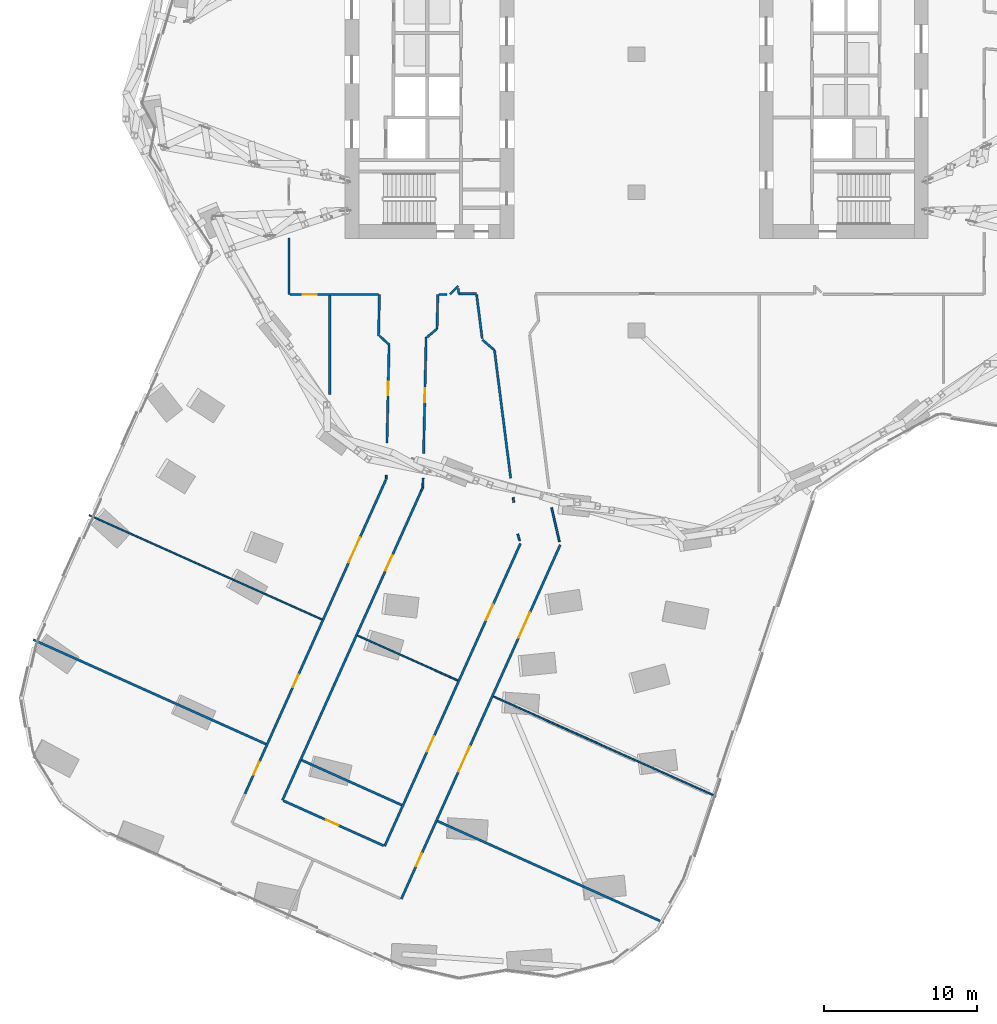
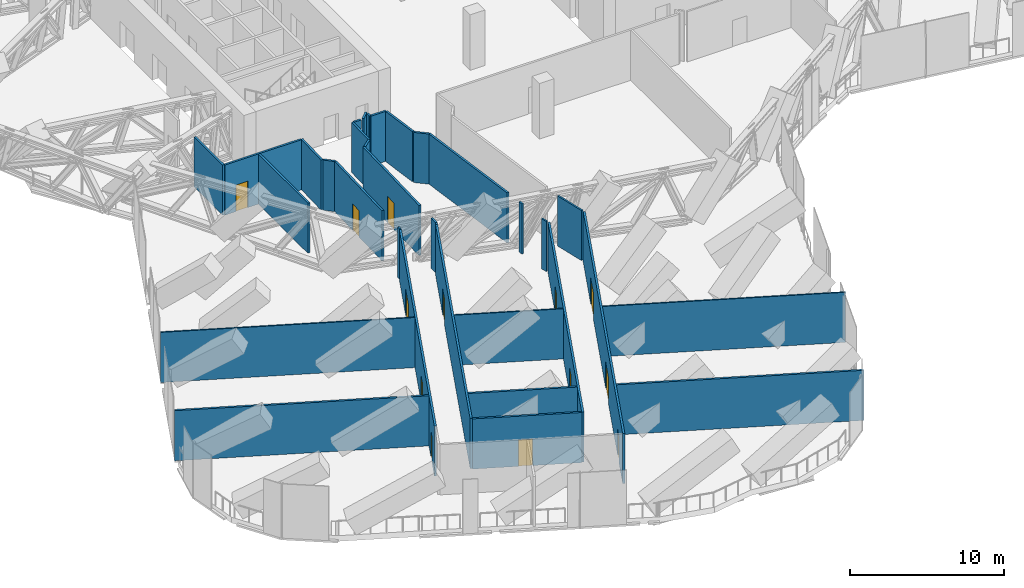
# One storey, part 27 of 39: 33 walls, 13 doors, 13 openings.
"""IFC4 building model written with IfcOpenShell, lengths in metres."""

from ifc_helpers import new_model, si_unit, direction, frame, frame_2d, origin, place, context, subcontext, project, spatial, rectangle, extrude, material, layer, layer_set, type_object, element, fill, save


model = new_model("IFC4")

# Units and contexts
model_context = context("Model", 3, precision=1e-05, world=origin(), true_north=direction((0.0, 1.0)))
body_context = subcontext(model_context, "Body", "Model", "MODEL_VIEW")
ifc_project = project(units=[si_unit("LENGTHUNIT", "METRE"), si_unit("AREAUNIT", "SQUARE_METRE"), si_unit("VOLUMEUNIT", "CUBIC_METRE"), si_unit("PLANEANGLEUNIT", "RADIAN"), si_unit("MASSUNIT", "GRAM", prefix="KILO")], contexts=[model_context])

# Site, building, storey
site_placement = place(None, origin())
site = spatial("IfcSite", under=ifc_project, at=site_placement, CompositionType="ELEMENT")
building_placement = place(site_placement, origin())
building = spatial("IfcBuilding", under=site, at=building_placement, Name="Orlundy Tower", CompositionType="ELEMENT")
storey_placement = place(building_placement, frame((0.0, 0.0, 141.199951171875)))
storey = spatial("IfcBuildingStorey", under=building, at=storey_placement, Name="L36", CompositionType="ELEMENT", Elevation=141.199951171875)

# Walls
ifc_material_1 = material(Name="Gypsum board partition")
ifc_layer_1 = layer(ifc_material_1, 0.10009765625)
ifc_layer_set_1 = layer_set([ifc_layer_1], Name="Floor partition 100")
wall_type_1 = type_object("IfcWallType", Name="Floor partition 100", PredefinedType="PARTITIONING", material=ifc_layer_set_1)
wall_1_placement = place(storey_placement, frame((-35.669921875, -30.029052734375, 0.0), z_axis=(0.0, 0.0, 1.0), x_axis=(0.912385851381, -0.409331232867, 0.0)))
element("IfcWall", 1, at=wall_1_placement, inside=storey, type_object=wall_type_1, Name="wall-int-L36-018", PredefinedType="PARTITIONING", context=body_context, shape_type="SweptSolid", body=[
    extrude(rectangle(XDim=16.62451171875, YDim=0.10009765625, at=frame_2d((8.312255859375, 0.0))), origin(), (0.0, 0.0, 1.0), 3.97998046875),
])
wall_2_placement = place(storey_placement, frame((-18.175048828125, -37.87890625, 0.0), z_axis=(0.0, 0.0, 1.0), x_axis=(0.912356746217, -0.409396101145, 0.0)))
element("IfcWall", 2, at=wall_2_placement, inside=storey, type_object=wall_type_1, Name="wall-int-L36-019", PredefinedType="PARTITIONING", context=body_context, shape_type="SweptSolid", body=[
    extrude(rectangle(XDim=7.149658203125, YDim=0.10009765625, at=frame_2d((3.57470703125, 0.0))), origin(), (0.0, 0.0, 1.0), 3.97998046875),
])
wall_3_placement = place(storey_placement, frame((-9.324951171875, -41.85107421875, 0.0), z_axis=(0.0, 0.0, 1.0), x_axis=(0.91237401084, -0.40935762402, 0.0)))
element("IfcWall", 3, at=wall_3_placement, inside=storey, type_object=wall_type_1, Name="wall-int-L36-020", PredefinedType="PARTITIONING", context=body_context, shape_type="SweptSolid", body=[
    extrude(rectangle(XDim=15.890380859375, YDim=0.10009765625, at=frame_2d((7.9453125, 0.0))), origin(), (0.0, 0.0, 1.0), 3.97998046875),
])
ifc_material_2 = material(Name="Gypsum board partition, double layer")
ifc_layer_2 = layer(ifc_material_2, 0.125)
ifc_layer_set_2 = layer_set([ifc_layer_2], Name="Floor partition 125")
wall_type_2 = type_object("IfcWallType", Name="Floor partition 125", PredefinedType="PARTITIONING", material=ifc_layer_set_2)
wall_4_placement = place(storey_placement, frame((-8.0400390625, -28.885009765625, 0.0), z_axis=(0.0, 0.0, 1.0), x_axis=(0.12573301006, -0.992064115963, 0.0)))
element("IfcWall", 4, at=wall_4_placement, inside=storey, type_object=wall_type_2, Name="wall-int-L36-004", PredefinedType="PARTITIONING", context=body_context, shape_type="SweptSolid", body=[
    extrude(rectangle(XDim=0.318359375, YDim=0.125, at=frame_2d((0.1591796875, 0.0))), origin(), (0.0, 0.0, 1.0), 3.97998046875),
])
wall_5_placement = place(storey_placement, frame((-7.739013671875, -31.264892578125, 0.0), z_axis=(0.0, 0.0, 1.0), x_axis=(0.272417640043, -0.962179104633, 0.0)))
element("IfcWall", 5, at=wall_5_placement, inside=storey, type_object=wall_type_2, Name="wall-int-L36-005", PredefinedType="PARTITIONING", context=body_context, shape_type="SweptSolid", body=[
    extrude(rectangle(XDim=0.447998046875, YDim=0.125, at=frame_2d((0.22412109375, 0.0))), origin(), (0.0, 0.0, 1.0), 3.97998046875),
])
wall_6_placement = place(storey_placement, frame((-5.537109375, -29.544921875, 0.0), z_axis=(0.0, 0.0, 1.0), x_axis=(0.22654653271, -0.974000343181, 0.0)))
element("IfcWall", 6, at=wall_6_placement, inside=storey, type_object=wall_type_2, Name="wall-int-L36-006", PredefinedType="PARTITIONING", context=body_context, shape_type="SweptSolid", body=[
    extrude(rectangle(XDim=2.282470703125, YDim=0.125, at=frame_2d((1.14111328125, 0.0))), origin(), (0.0, 0.0, 1.0), 3.97998046875),
])
wall_7_placement = place(storey_placement, frame((-14.02392578125, -28.445068359375, 0.0), z_axis=(0.0, 0.0, 1.0), x_axis=(0.409947870427, 0.912108953762, 0.0)))
element("IfcWall", 7, at=wall_7_placement, inside=storey, type_object=wall_type_2, Name="wall-int-L36-053", PredefinedType="PARTITIONING", context=body_context, shape_type="SweptSolid", body=[
    extrude(rectangle(XDim=0.24365234375, YDim=0.125, at=frame_2d((0.121826171875, 0.0))), origin(), (0.0, 0.0, 1.0), 3.97998046875),
])
wall_8_placement = place(storey_placement, frame((-13.924072265625, -28.222900390625, 0.0), z_axis=(0.0, 0.0, 1.0), x_axis=(0.022152953645, 0.99975459321, 0.0)))
element("IfcWall", 8, at=wall_8_placement, inside=storey, type_object=wall_type_2, Name="wall-int-L36-070", PredefinedType="PARTITIONING", context=body_context, shape_type="SweptSolid", body=[
    extrude(rectangle(XDim=0.59521484375, YDim=0.125, at=frame_2d((0.297607421875, 0.0))), origin(), (0.0, 0.0, 1.0), 3.97998046875),
])
wall_9_placement = place(storey_placement, frame((-16.31396484375, -27.68408203125, 0.0), z_axis=(0.0, 0.0, 1.0), x_axis=(0.022175691441, 0.999754089118, 0.0)))
element("IfcWall", 9, at=wall_9_placement, inside=storey, type_object=wall_type_2, Name="wall-int-L36-071", PredefinedType="PARTITIONING", context=body_context, shape_type="SweptSolid", body=[
    extrude(rectangle(XDim=0.26416015625, YDim=0.125, at=frame_2d((0.132080078125, 0.0))), origin(), (0.0, 0.0, 1.0), 3.97998046875),
])
ifc_material_3 = material(Name="Blockwork shaft wall", Category="masonry")
ifc_layer_3 = layer(ifc_material_3, 0.14990234375)
ifc_layer_set_3 = layer_set([ifc_layer_3], Name="Floor shaft wall 150")
wall_type_3 = type_object("IfcWallType", Name="Floor shaft wall 150", PredefinedType="PARTITIONING", material=ifc_layer_set_3)
wall_10_placement = place(storey_placement, frame((-11.60107421875, -15.27294921875, 0.0), z_axis=(0.0, 0.0, 1.0), x_axis=(0.002985061327, -0.999995544695, 0.0)))
element("IfcWall", 10, at=wall_10_placement, inside=storey, type_object=wall_type_3, Name="wall-int-L36-001", PredefinedType="PARTITIONING", context=body_context, shape_type="SweptSolid", body=[
    extrude(rectangle(XDim=0.3271484375, YDim=0.14990234375, at=frame_2d((0.16357421875, 0.0))), origin(), (0.0, 0.0, 1.0), 3.97998046875),
])
wall_11_placement = place(storey_placement, frame((-10.419921875, -15.674072265625, 0.0), z_axis=(0.0, 0.0, 1.0), x_axis=(0.126143479967, -0.992012007217, 0.0)))
element("IfcWall", 11, at=wall_11_placement, inside=storey, type_object=wall_type_3, Name="wall-int-L36-002", PredefinedType="PARTITIONING", context=body_context, shape_type="SweptSolid", body=[
    extrude(rectangle(XDim=2.8779296875, YDim=0.14990234375, at=frame_2d((1.43896484375, 0.0))), origin(), (0.0, 0.0, 1.0), 3.97998046875),
])
wall_12_placement = place(storey_placement, frame((-9.257080078125, -19.283935546875, 0.0), z_axis=(0.0, 0.0, 1.0), x_axis=(0.125703157539, -0.992067898979, 0.0)))
element("IfcWall", 12, at=wall_12_placement, inside=storey, type_object=wall_type_3, Name="wall-int-L36-003", PredefinedType="PARTITIONING", context=body_context, shape_type="SweptSolid", body=[
    extrude(rectangle(XDim=8.40966796875, YDim=0.14990234375, at=frame_2d((4.204833984375, 0.0))), origin(), (0.0, 0.0, 1.0), 3.97998046875),
])

# Wall, opening, door
wall_13_placement = place(storey_placement, frame((-23.006103515625, -48.64501953125, 0.0), z_axis=(0.0, 0.0, 1.0), x_axis=(0.912436356284, -0.409218640499, 0.0)))
wall_13 = element("IfcWall", 13, at=wall_13_placement, inside=storey, type_object=wall_type_3, Name="wall-int-L36-014", PredefinedType="PARTITIONING", context=body_context, shape_type="SweptSolid", body=[
    extrude(rectangle(XDim=7.150390625, YDim=0.14990234375, at=frame_2d((3.5751953125, 0.0))), origin(), (0.0, 0.0, 1.0), 3.97998046875),
])
opening_1_placement = place(wall_13_placement, frame((3.02490234375, 0.0, 0.0)))
opening_1 = element("IfcOpeningElement", 14, at=opening_1_placement, cuts=wall_13, Name="Opening 27117", PredefinedType="OPENING", context=body_context, shape_type="SweptSolid", body=[
    extrude(rectangle(XDim=0.89990234375, YDim=2.10009765625, at=frame_2d((0.449951171875, 1.050048828125))), frame((0.0, 0.0849609375, 0.0), z_axis=(0.0, -1.0, 0.0), x_axis=(1.0, 0.0, 0.0)), (0.0, 0.0, 1.0), 0.169921875),
])
ifc_material_4 = material(Name="Timber door leaf", Category="wood")
door_type_1 = type_object("IfcDoorType", Name="Floor door single 900 FD60", OperationType="NOTDEFINED", PredefinedType="DOOR", material=ifc_material_4)
door_1_placement = place(opening_1_placement, origin())
door_1 = element("IfcDoor", 15, at=door_1_placement, inside=storey, type_object=door_type_1, Name="Door 27117", OperationType="SINGLE_SWING_LEFT", OverallHeight=2.10009765625, OverallWidth=0.89990234375, PredefinedType="DOOR", context=body_context, shape_type="SweptSolid", body=[
    extrude(rectangle(XDim=0.89990234375, YDim=2.10009765625, at=frame_2d((0.449951171875, 1.050048828125))), frame((0.0, 0.02490234375, 0.0), z_axis=(0.0, -1.0, 0.0), x_axis=(1.0, 0.0, 0.0)), (0.0, 0.0, 1.0), 0.050048828125),
])
fill(opening_1, door_1)

# Walls
wall_14_placement = place(storey_placement, frame((-39.31298828125, -38.14892578125, 0.0), z_axis=(0.0, 0.0, 1.0), x_axis=(0.912370523018, -0.40936539757, 0.0)))
element("IfcWall", 16, at=wall_14_placement, inside=storey, type_object=wall_type_3, Name="wall-int-L36-015", PredefinedType="PARTITIONING", context=body_context, shape_type="SweptSolid", body=[
    extrude(rectangle(XDim=16.623779296875, YDim=0.14990234375, at=frame_2d((8.31201171875, 0.0))), origin(), (0.0, 0.0, 1.0), 3.97998046875),
])
wall_15_placement = place(storey_placement, frame((-21.819091796875, -45.9990234375, 0.0), z_axis=(0.0, 0.0, 1.0), x_axis=(0.912385356139, -0.409332336742, 0.0)))
element("IfcWall", 17, at=wall_15_placement, inside=storey, type_object=wall_type_3, Name="wall-int-L36-016", PredefinedType="PARTITIONING", context=body_context, shape_type="SweptSolid", body=[
    extrude(rectangle(XDim=7.150634765625, YDim=0.14990234375, at=frame_2d((3.5751953125, 0.0))), origin(), (0.0, 0.0, 1.0), 3.97998046875),
])
wall_16_placement = place(storey_placement, frame((-12.968017578125, -49.970947265625, 0.0), z_axis=(0.0, 0.0, 1.0), x_axis=(0.912368475421, -0.40936996111, 0.0)))
element("IfcWall", 18, at=wall_16_placement, inside=storey, type_object=wall_type_3, Name="wall-int-L36-017", PredefinedType="PARTITIONING", context=body_context, shape_type="SweptSolid", body=[
    extrude(rectangle(XDim=16.158935546875, YDim=0.14990234375, at=frame_2d((8.07958984375, 0.0))), origin(), (0.0, 0.0, 1.0), 3.97998046875),
])
wall_17_placement = place(storey_placement, frame((-13.636962890625, -18.427001953125, 0.0), z_axis=(0.0, 0.0, 1.0), x_axis=(0.764485513126, 0.644640907964, 0.0)))
element("IfcWall", 19, at=wall_17_placement, inside=storey, type_object=wall_type_3, Name="wall-int-L36-034", PredefinedType="PARTITIONING", context=body_context, shape_type="SweptSolid", body=[
    extrude(rectangle(XDim=0.833251953125, YDim=0.14990234375, at=frame_2d((0.41650390625, 0.0))), origin(), (0.0, 0.0, 1.0), 3.97998046875),
])
wall_18_placement = place(storey_placement, frame((-16.736083984375, -18.360107421875, 0.0), z_axis=(0.0, 0.0, 1.0), x_axis=(0.736580669078, -0.676349700924, 0.0)))
element("IfcWall", 20, at=wall_18_placement, inside=storey, type_object=wall_type_3, Name="wall-int-L36-035", PredefinedType="PARTITIONING", context=body_context, shape_type="SweptSolid", body=[
    extrude(rectangle(XDim=0.8310546875, YDim=0.14990234375, at=frame_2d((0.41552734375, 0.0))), origin(), (0.0, 0.0, 1.0), 3.97998046875),
])

# Wall, opening, door
wall_19_placement = place(storey_placement, frame((-16.827880859375, -15.65087890625, 0.0), z_axis=(0.0, 0.0, 1.0), x_axis=(-1.0, 0.0, 0.0)))
wall_19 = element("IfcWall", 21, at=wall_19_placement, inside=storey, type_object=wall_type_3, Name="wall-int-L36-036", PredefinedType="PARTITIONING", context=body_context, shape_type="SweptSolid", body=[
    extrude(rectangle(XDim=5.7470703125, YDim=0.14990234375, at=frame_2d((2.87353515625, 0.0))), origin(), (0.0, 0.0, 1.0), 3.97998046875),
])
opening_2_placement = place(wall_19_placement, frame((4.02197265625, 0.0, 0.0)))
opening_2 = element("IfcOpeningElement", 22, at=opening_2_placement, cuts=wall_19, Name="Opening 27123", PredefinedType="OPENING", context=body_context, shape_type="SweptSolid", body=[
    extrude(rectangle(XDim=0.89990234375, YDim=2.10009765625, at=frame_2d((0.449951171875, 1.050048828125))), frame((0.0, 0.0849609375, 0.0), z_axis=(0.0, -1.0, 0.0), x_axis=(1.0, 0.0, 0.0)), (0.0, 0.0, 1.0), 0.169921875),
])
door_2_placement = place(opening_2_placement, origin())
door_2 = element("IfcDoor", 23, at=door_2_placement, inside=storey, type_object=door_type_1, Name="Door 27123", OperationType="SINGLE_SWING_RIGHT", OverallHeight=2.10009765625, OverallWidth=0.89990234375, PredefinedType="DOOR", context=body_context, shape_type="SweptSolid", body=[
    extrude(rectangle(XDim=0.89990234375, YDim=2.10009765625, at=frame_2d((0.449951171875, 1.050048828125))), frame((0.0, 0.02490234375, 0.0), z_axis=(0.0, -1.0, 0.0), x_axis=(1.0, 0.0, 0.0)), (0.0, 0.0, 1.0), 0.050048828125),
])
fill(opening_2, door_2)

# Walls
wall_20_placement = place(storey_placement, frame((-12.8759765625, -15.65087890625, 0.0), z_axis=(0.0, 0.0, 1.0), x_axis=(1.0, 0.0, 0.0)))
element("IfcWall", 24, at=wall_20_placement, inside=storey, type_object=wall_type_3, Name="wall-int-L36-037", PredefinedType="PARTITIONING", context=body_context, shape_type="SweptSolid", body=[
    extrude(rectangle(XDim=0.534912109375, YDim=0.14990234375, at=frame_2d((0.267578125, 0.0))), origin(), (0.0, 0.0, 1.0), 3.97998046875),
])
wall_21_placement = place(storey_placement, frame((-11.60009765625, -15.60009765625, 0.0), z_axis=(0.0, 0.0, 1.0), x_axis=(1.0, 0.0, 0.0)))
element("IfcWall", 25, at=wall_21_placement, inside=storey, type_object=wall_type_3, Name="wall-int-L36-039", PredefinedType="PARTITIONING", context=body_context, shape_type="SweptSolid", body=[
    extrude(rectangle(XDim=1.171142578125, YDim=0.14990234375, at=frame_2d((0.58544921875, 0.0))), origin(), (0.0, 0.0, 1.0), 3.97998046875),
])
wall_22_placement = place(storey_placement, frame((-10.048095703125, -18.60400390625, 0.0), z_axis=(0.0, 0.0, 1.0), x_axis=(0.758347167367, -0.651850883061, 0.0)))
element("IfcWall", 26, at=wall_22_placement, inside=storey, type_object=wall_type_3, Name="wall-int-L36-044", PredefinedType="PARTITIONING", context=body_context, shape_type="SweptSolid", body=[
    extrude(rectangle(XDim=1.04296875, YDim=0.14990234375, at=frame_2d((0.521484375, 0.0))), origin(), (0.0, 0.0, 1.0), 3.97998046875),
])
wall_23_placement = place(storey_placement, frame((-12.153076171875, -15.631103515625, 0.0), z_axis=(0.0, 0.0, 1.0), x_axis=(0.707106781187, 0.707106781187, 0.0)))
element("IfcWall", 27, at=wall_23_placement, inside=storey, type_object=wall_type_3, Name="wall-int-L36-048", PredefinedType="PARTITIONING", context=body_context, shape_type="SweptSolid", body=[
    extrude(rectangle(XDim=0.7509765625, YDim=0.14990234375, at=frame_2d((0.37548828125, 0.0))), origin(), (0.0, 0.0, 1.0), 3.97998046875),
])

# Wall, openings, doors
wall_24_placement = place(storey_placement, frame((-4.971923828125, -31.972900390625, 0.0), z_axis=(0.0, 0.0, 1.0), x_axis=(-0.409473513005, -0.912322005734, 0.0)))
wall_24 = element("IfcWall", 28, at=wall_24_placement, inside=storey, type_object=wall_type_3, Name="wall-int-L36-050", PredefinedType="PARTITIONING", context=body_context, shape_type="SweptSolid", body=[
    extrude(rectangle(XDim=25.2939453125, YDim=0.14990234375, at=frame_2d((12.64697265625, 0.0))), origin(), (0.0, 0.0, 1.0), 3.97998046875),
])
opening_3_placement = place(wall_24_placement, frame((4.8359375, 0.0, 0.0)))
opening_3 = element("IfcOpeningElement", 29, at=opening_3_placement, cuts=wall_24, Name="Opening 27112", PredefinedType="OPENING", context=body_context, shape_type="SweptSolid", body=[
    extrude(rectangle(XDim=1.800048828125, YDim=2.10009765625, at=frame_2d((0.89990234375, 1.050048828125))), frame((0.0, 0.0849609375, 0.0), z_axis=(0.0, -1.0, 0.0), x_axis=(1.0, 0.0, 0.0)), (0.0, 0.0, 1.0), 0.169921875),
])
opening_4_placement = place(wall_24_placement, frame((14.3935546875, 0.0, 0.0)))
opening_4 = element("IfcOpeningElement", 30, at=opening_4_placement, cuts=wall_24, Name="Opening 27113", PredefinedType="OPENING", context=body_context, shape_type="SweptSolid", body=[
    extrude(rectangle(XDim=1.800048828125, YDim=2.10009765625, at=frame_2d((0.89990234375, 1.050048828125))), frame((0.0, 0.0849609375, 0.0), z_axis=(0.0, -1.0, 0.0), x_axis=(1.0, 0.0, 0.0)), (0.0, 0.0, 1.0), 0.169921875),
])
opening_5_placement = place(wall_24_placement, frame((22.043212890625, 0.0, 0.0)))
opening_5 = element("IfcOpeningElement", 31, at=opening_5_placement, cuts=wall_24, Name="Opening 27118", PredefinedType="OPENING", context=body_context, shape_type="SweptSolid", body=[
    extrude(rectangle(XDim=0.89990234375, YDim=2.10009765625, at=frame_2d((0.449951171875, 1.050048828125))), frame((0.0, 0.0849609375, 0.0), z_axis=(0.0, -1.0, 0.0), x_axis=(1.0, 0.0, 0.0)), (0.0, 0.0, 1.0), 0.169921875),
])
ifc_material_5 = material(Name="Timber door leaf", Category="wood")
door_type_2 = type_object("IfcDoorType", Name="Floor door double 1800 FD60", OperationType="NOTDEFINED", PredefinedType="DOOR", material=ifc_material_5)
door_3_placement = place(opening_3_placement, origin())
door_3 = element("IfcDoor", 32, at=door_3_placement, inside=storey, type_object=door_type_2, Name="Door 27112", OperationType="DOUBLE_DOOR_SINGLE_SWING", OverallHeight=2.10009765625, OverallWidth=1.800048828125, PredefinedType="DOOR", context=body_context, shape_type="SweptSolid", body=[
    extrude(rectangle(XDim=1.800048828125, YDim=2.10009765625, at=frame_2d((0.89990234375, 1.050048828125))), frame((0.0, 0.02490234375, 0.0), z_axis=(0.0, -1.0, 0.0), x_axis=(1.0, 0.0, 0.0)), (0.0, 0.0, 1.0), 0.050048828125),
])
fill(opening_3, door_3)
door_4_placement = place(opening_4_placement, origin())
door_4 = element("IfcDoor", 33, at=door_4_placement, inside=storey, type_object=door_type_2, Name="Door 27113", OperationType="DOUBLE_DOOR_SINGLE_SWING", OverallHeight=2.10009765625, OverallWidth=1.800048828125, PredefinedType="DOOR", context=body_context, shape_type="SweptSolid", body=[
    extrude(rectangle(XDim=1.800048828125, YDim=2.10009765625, at=frame_2d((0.89990234375, 1.050048828125))), frame((0.0, 0.02490234375, 0.0), z_axis=(0.0, -1.0, 0.0), x_axis=(1.0, 0.0, 0.0)), (0.0, 0.0, 1.0), 0.050048828125),
])
fill(opening_4, door_4)
door_5_placement = place(opening_5_placement, origin())
door_5 = element("IfcDoor", 34, at=door_5_placement, inside=storey, type_object=door_type_1, Name="Door 27118", OperationType="SINGLE_SWING_RIGHT", OverallHeight=2.10009765625, OverallWidth=0.89990234375, PredefinedType="DOOR", context=body_context, shape_type="SweptSolid", body=[
    extrude(rectangle(XDim=0.89990234375, YDim=2.10009765625, at=frame_2d((0.449951171875, 1.050048828125))), frame((0.0, 0.02490234375, 0.0), z_axis=(0.0, -1.0, 0.0), x_axis=(1.0, 0.0, 0.0)), (0.0, 0.0, 1.0), 0.050048828125),
])
fill(opening_5, door_5)

wall_25_placement = place(storey_placement, frame((-16.4140625, -51.60205078125, 0.0), z_axis=(0.0, 0.0, 1.0), x_axis=(0.409428490452, 0.912342211676, 0.0)))
wall_25 = element("IfcWall", 35, at=wall_25_placement, inside=storey, type_object=wall_type_3, Name="wall-int-L36-051", PredefinedType="PARTITIONING", context=body_context, shape_type="SweptSolid", body=[
    extrude(rectangle(XDim=21.61572265625, YDim=0.14990234375, at=frame_2d((10.807861328125, 0.0))), origin(), (0.0, 0.0, 1.0), 3.97998046875),
])
opening_6_placement = place(wall_25_placement, frame((16.14892578125, 0.0, 0.0)))
opening_6 = element("IfcOpeningElement", 36, at=opening_6_placement, cuts=wall_25, Name="Opening 27115", PredefinedType="OPENING", context=body_context, shape_type="SweptSolid", body=[
    extrude(rectangle(XDim=1.10009765625, YDim=2.10009765625, at=frame_2d((0.550048828125, 1.050048828125))), frame((0.0, 0.0849609375, 0.0), z_axis=(0.0, -1.0, 0.0), x_axis=(1.0, 0.0, 0.0)), (0.0, 0.0, 1.0), 0.169921875),
])
opening_7_placement = place(wall_25_placement, frame((6.7490234375, 0.0, 0.0)))
opening_7 = element("IfcOpeningElement", 37, at=opening_7_placement, cuts=wall_25, Name="Opening 27116", PredefinedType="OPENING", context=body_context, shape_type="SweptSolid", body=[
    extrude(rectangle(XDim=1.10009765625, YDim=2.10009765625, at=frame_2d((0.550048828125, 1.050048828125))), frame((0.0, 0.0849609375, 0.0), z_axis=(0.0, -1.0, 0.0), x_axis=(1.0, 0.0, 0.0)), (0.0, 0.0, 1.0), 0.169921875),
])
ifc_material_6 = material(Name="Timber door leaf", Category="wood")
door_type_3 = type_object("IfcDoorType", Name="Floor door xwide 1100 FD60", OperationType="NOTDEFINED", PredefinedType="DOOR", material=ifc_material_6)
door_6_placement = place(opening_6_placement, origin())
door_6 = element("IfcDoor", 38, at=door_6_placement, inside=storey, type_object=door_type_3, Name="Door 27115", OperationType="SINGLE_SWING_RIGHT", OverallHeight=2.10009765625, OverallWidth=1.10009765625, PredefinedType="DOOR", context=body_context, shape_type="SweptSolid", body=[
    extrude(rectangle(XDim=1.10009765625, YDim=2.10009765625, at=frame_2d((0.550048828125, 1.050048828125))), frame((0.0, 0.02490234375, 0.0), z_axis=(0.0, -1.0, 0.0), x_axis=(1.0, 0.0, 0.0)), (0.0, 0.0, 1.0), 0.050048828125),
])
fill(opening_6, door_6)
door_7_placement = place(opening_7_placement, origin())
door_7 = element("IfcDoor", 39, at=door_7_placement, inside=storey, type_object=door_type_3, Name="Door 27116", OperationType="SINGLE_SWING_LEFT", OverallHeight=2.10009765625, OverallWidth=1.10009765625, PredefinedType="DOOR", context=body_context, shape_type="SweptSolid", body=[
    extrude(rectangle(XDim=1.10009765625, YDim=2.10009765625, at=frame_2d((0.550048828125, 1.050048828125))), frame((0.0, 0.02490234375, 0.0), z_axis=(0.0, -1.0, 0.0), x_axis=(1.0, 0.0, 0.0)), (0.0, 0.0, 1.0), 0.050048828125),
])
fill(opening_7, door_7)

# Wall, opening, door
wall_26_placement = place(storey_placement, frame((-14.02587890625, -28.444091796875, 0.0), z_axis=(0.0, 0.0, 1.0), x_axis=(-0.409297204015, -0.912401117264, 0.0)))
wall_26 = element("IfcWall", 40, at=wall_26_placement, inside=storey, type_object=wall_type_3, Name="wall-int-L36-054", PredefinedType="PARTITIONING", context=body_context, shape_type="SweptSolid", body=[
    extrude(rectangle(XDim=22.1064453125, YDim=0.14990234375, at=frame_2d((11.05322265625, 0.0))), origin(), (0.0, 0.0, 1.0), 3.97998046875),
])
opening_8_placement = place(wall_26_placement, frame((4.599853515625, 0.0, 0.0)))
opening_8 = element("IfcOpeningElement", 41, at=opening_8_placement, cuts=wall_26, Name="Opening 27114", PredefinedType="OPENING", context=body_context, shape_type="SweptSolid", body=[
    extrude(rectangle(XDim=1.10009765625, YDim=2.10009765625, at=frame_2d((0.550048828125, 1.050048828125))), frame((0.0, 0.0849609375, 0.0), z_axis=(0.0, -1.0, 0.0), x_axis=(1.0, 0.0, 0.0)), (0.0, 0.0, 1.0), 0.169921875),
])
door_8_placement = place(opening_8_placement, origin())
door_8 = element("IfcDoor", 42, at=door_8_placement, inside=storey, type_object=door_type_3, Name="Door 27114", OperationType="SINGLE_SWING_LEFT", OverallHeight=2.10009765625, OverallWidth=1.10009765625, PredefinedType="DOOR", context=body_context, shape_type="SweptSolid", body=[
    extrude(rectangle(XDim=1.10009765625, YDim=2.10009765625, at=frame_2d((0.550048828125, 1.050048828125))), frame((0.0, 0.02490234375, 0.0), z_axis=(0.0, -1.0, 0.0), x_axis=(1.0, 0.0, 0.0)), (0.0, 0.0, 1.0), 0.050048828125),
])
fill(opening_8, door_8)

# Wall, openings, doors
wall_27_placement = place(storey_placement, frame((-25.510986328125, -48.178955078125, 0.0), z_axis=(0.0, 0.0, 1.0), x_axis=(0.409355672169, 0.912374886581, 0.0)))
wall_27 = element("IfcWall", 43, at=wall_27_placement, inside=storey, type_object=wall_type_3, Name="wall-int-L36-056", PredefinedType="PARTITIONING", context=body_context, shape_type="SweptSolid", body=[
    extrude(rectangle(XDim=22.40087890625, YDim=0.14990234375, at=frame_2d((11.200439453125, 0.0))), origin(), (0.0, 0.0, 1.0), 3.97998046875),
])
opening_9_placement = place(wall_27_placement, frame((1.35009765625, 0.0, 0.0)))
opening_9 = element("IfcOpeningElement", 44, at=opening_9_placement, cuts=wall_27, Name="Opening 27119", PredefinedType="OPENING", context=body_context, shape_type="SweptSolid", body=[
    extrude(rectangle(XDim=0.89990234375, YDim=2.10009765625, at=frame_2d((0.449951171875, 1.050048828125))), frame((0.0, 0.0849609375, 0.0), z_axis=(0.0, -1.0, 0.0), x_axis=(1.0, 0.0, 0.0)), (0.0, 0.0, 1.0), 0.169921875),
])
opening_10_placement = place(wall_27_placement, frame((16.5009765625, 0.0, 0.0)))
opening_10 = element("IfcOpeningElement", 45, at=opening_10_placement, cuts=wall_27, Name="Opening 27120", PredefinedType="OPENING", context=body_context, shape_type="SweptSolid", body=[
    extrude(rectangle(XDim=1.800048828125, YDim=2.10009765625, at=frame_2d((0.89990234375, 1.050048828125))), frame((0.0, 0.0849609375, 0.0), z_axis=(0.0, -1.0, 0.0), x_axis=(1.0, 0.0, 0.0)), (0.0, 0.0, 1.0), 0.169921875),
])
opening_11_placement = place(wall_27_placement, frame((7.6005859375, 0.0, 0.0)))
opening_11 = element("IfcOpeningElement", 46, at=opening_11_placement, cuts=wall_27, Name="Opening 27121", PredefinedType="OPENING", context=body_context, shape_type="SweptSolid", body=[
    extrude(rectangle(XDim=0.89990234375, YDim=2.10009765625, at=frame_2d((0.449951171875, 1.050048828125))), frame((0.0, 0.0849609375, 0.0), z_axis=(0.0, -1.0, 0.0), x_axis=(1.0, 0.0, 0.0)), (0.0, 0.0, 1.0), 0.169921875),
])
door_9_placement = place(opening_10_placement, origin())
door_9 = element("IfcDoor", 47, at=door_9_placement, inside=storey, type_object=door_type_2, Name="Door 27120", OperationType="DOUBLE_DOOR_SINGLE_SWING", OverallHeight=2.10009765625, OverallWidth=1.800048828125, PredefinedType="DOOR", context=body_context, shape_type="SweptSolid", body=[
    extrude(rectangle(XDim=1.800048828125, YDim=2.10009765625, at=frame_2d((0.89990234375, 1.050048828125))), frame((0.0, 0.02490234375, 0.0), z_axis=(0.0, -1.0, 0.0), x_axis=(1.0, 0.0, 0.0)), (0.0, 0.0, 1.0), 0.050048828125),
])
fill(opening_10, door_9)
door_10_placement = place(opening_9_placement, origin())
door_10 = element("IfcDoor", 48, at=door_10_placement, inside=storey, type_object=door_type_1, Name="Door 27119", OperationType="SINGLE_SWING_LEFT", OverallHeight=2.10009765625, OverallWidth=0.89990234375, PredefinedType="DOOR", context=body_context, shape_type="SweptSolid", body=[
    extrude(rectangle(XDim=0.89990234375, YDim=2.10009765625, at=frame_2d((0.449951171875, 1.050048828125))), frame((0.0, 0.02490234375, 0.0), z_axis=(0.0, -1.0, 0.0), x_axis=(1.0, 0.0, 0.0)), (0.0, 0.0, 1.0), 0.050048828125),
])
fill(opening_9, door_10)
door_11_placement = place(opening_11_placement, origin())
door_11 = element("IfcDoor", 49, at=door_11_placement, inside=storey, type_object=door_type_1, Name="Door 27121", OperationType="SINGLE_SWING_LEFT", OverallHeight=2.10009765625, OverallWidth=0.89990234375, PredefinedType="DOOR", context=body_context, shape_type="SweptSolid", body=[
    extrude(rectangle(XDim=0.89990234375, YDim=2.10009765625, at=frame_2d((0.449951171875, 1.050048828125))), frame((0.0, 0.02490234375, 0.0), z_axis=(0.0, -1.0, 0.0), x_axis=(1.0, 0.0, 0.0)), (0.0, 0.0, 1.0), 0.050048828125),
])
fill(opening_11, door_11)

# Wall
wall_28_placement = place(storey_placement, frame((-13.0, -17.889892578125, 0.0), z_axis=(0.0, 0.0, 1.0), x_axis=(0.021911649995, 0.999759910976, 0.0)))
element("IfcWall", 50, at=wall_28_placement, inside=storey, type_object=wall_type_3, Name="wall-int-L36-069", PredefinedType="PARTITIONING", context=body_context, shape_type="SweptSolid", body=[
    extrude(rectangle(XDim=2.239501953125, YDim=0.14990234375, at=frame_2d((1.11962890625, 0.0))), origin(), (0.0, 0.0, 1.0), 3.97998046875),
])

# Wall, opening, door
wall_29_placement = place(storey_placement, frame((-13.7119140625, -18.425048828125, 0.0), z_axis=(0.0, 0.0, 1.0), x_axis=(-0.021590877975, -0.999766889824, 0.0)))
wall_29 = element("IfcWall", 51, at=wall_29_placement, inside=storey, type_object=wall_type_3, Name="wall-int-L36-072", PredefinedType="PARTITIONING", context=body_context, shape_type="SweptSolid", body=[
    extrude(rectangle(XDim=7.5986328125, YDim=0.14990234375, at=frame_2d((3.79931640625, 0.0))), origin(), (0.0, 0.0, 1.0), 3.97998046875),
])
opening_12_placement = place(wall_29_placement, frame((3.35009765625, 0.0, 0.0)))
opening_12 = element("IfcOpeningElement", 52, at=opening_12_placement, cuts=wall_29, Name="Opening 27125", PredefinedType="OPENING", context=body_context, shape_type="SweptSolid", body=[
    extrude(rectangle(XDim=0.89990234375, YDim=2.10009765625, at=frame_2d((0.449951171875, 1.050048828125))), frame((0.0, 0.0849609375, 0.0), z_axis=(0.0, -1.0, 0.0), x_axis=(1.0, 0.0, 0.0)), (0.0, 0.0, 1.0), 0.169921875),
])
door_12_placement = place(opening_12_placement, origin())
door_12 = element("IfcDoor", 53, at=door_12_placement, inside=storey, type_object=door_type_1, Name="Door 27125", OperationType="SINGLE_SWING_RIGHT", OverallHeight=2.10009765625, OverallWidth=0.89990234375, PredefinedType="DOOR", context=body_context, shape_type="SweptSolid", body=[
    extrude(rectangle(XDim=0.89990234375, YDim=2.10009765625, at=frame_2d((0.449951171875, 1.050048828125))), frame((0.0, 0.02490234375, 0.0), z_axis=(0.0, -1.0, 0.0), x_axis=(1.0, 0.0, 0.0)), (0.0, 0.0, 1.0), 0.050048828125),
])
fill(opening_12, door_12)

wall_30_placement = place(storey_placement, frame((-16.262939453125, -25.322998046875, 0.0), z_axis=(0.0, 0.0, 1.0), x_axis=(0.021697537815, 0.999764580715, 0.0)))
wall_30 = element("IfcWall", 54, at=wall_30_placement, inside=storey, type_object=wall_type_3, Name="wall-int-L36-073", PredefinedType="PARTITIONING", context=body_context, shape_type="SweptSolid", body=[
    extrude(rectangle(XDim=6.40234375, YDim=0.14990234375, at=frame_2d((3.201171875, 0.0))), origin(), (0.0, 0.0, 1.0), 3.97998046875),
])
opening_13_placement = place(wall_30_placement, frame((3.10009765625, 0.0, 0.0)))
opening_13 = element("IfcOpeningElement", 55, at=opening_13_placement, cuts=wall_30, Name="Opening 27124", PredefinedType="OPENING", context=body_context, shape_type="SweptSolid", body=[
    extrude(rectangle(XDim=0.89990234375, YDim=2.10009765625, at=frame_2d((0.449951171875, 1.050048828125))), frame((0.0, 0.0849609375, 0.0), z_axis=(0.0, -1.0, 0.0), x_axis=(1.0, 0.0, 0.0)), (0.0, 0.0, 1.0), 0.169921875),
])
door_13_placement = place(opening_13_placement, origin())
door_13 = element("IfcDoor", 56, at=door_13_placement, inside=storey, type_object=door_type_1, Name="Door 27124", OperationType="SINGLE_SWING_RIGHT", OverallHeight=2.10009765625, OverallWidth=0.89990234375, PredefinedType="DOOR", context=body_context, shape_type="SweptSolid", body=[
    extrude(rectangle(XDim=0.89990234375, YDim=2.10009765625, at=frame_2d((0.449951171875, 1.050048828125))), frame((0.0, 0.02490234375, 0.0), z_axis=(0.0, -1.0, 0.0), x_axis=(1.0, 0.0, 0.0)), (0.0, 0.0, 1.0), 0.050048828125),
])
fill(opening_13, door_13)

# Walls
wall_31_placement = place(storey_placement, frame((-16.81201171875, -18.35791015625, 0.0), z_axis=(0.0, 0.0, 1.0), x_axis=(0.02182020044, 0.999761911083, 0.0)))
element("IfcWall", 57, at=wall_31_placement, inside=storey, type_object=wall_type_3, Name="wall-int-L36-074", PredefinedType="PARTITIONING", context=body_context, shape_type="SweptSolid", body=[
    extrude(rectangle(XDim=2.707763671875, YDim=0.14990234375, at=frame_2d((1.35400390625, 0.0))), origin(), (0.0, 0.0, 1.0), 3.97998046875),
])
wall_32_placement = place(storey_placement, frame((-20.0, -22.1708984375, 0.0), z_axis=(0.0, 0.0, 1.0), x_axis=(0.0, 1.0, 0.0)))
element("IfcWall", 58, at=wall_32_placement, inside=storey, type_object=wall_type_3, Name="wall-int-L36-088", PredefinedType="PARTITIONING", context=body_context, shape_type="SweptSolid", body=[
    extrude(rectangle(XDim=6.44482421875, YDim=0.14990234375, at=frame_2d((3.222412109375, 0.0))), origin(), (0.0, 0.0, 1.0), 3.97998046875),
])
wall_33_placement = place(storey_placement, frame((-22.64990234375, -15.65087890625, 0.0), z_axis=(0.0, 0.0, 1.0), x_axis=(0.0, 1.0, 0.0)))
element("IfcWall", 59, at=wall_33_placement, inside=storey, type_object=wall_type_3, Name="wall-int-L36-090", PredefinedType="PARTITIONING", context=body_context, shape_type="SweptSolid", body=[
    extrude(rectangle(XDim=3.681884765625, YDim=0.14990234375, at=frame_2d((1.8408203125, 0.0))), origin(), (0.0, 0.0, 1.0), 3.97998046875),
])

save(model, "model.ifc")
